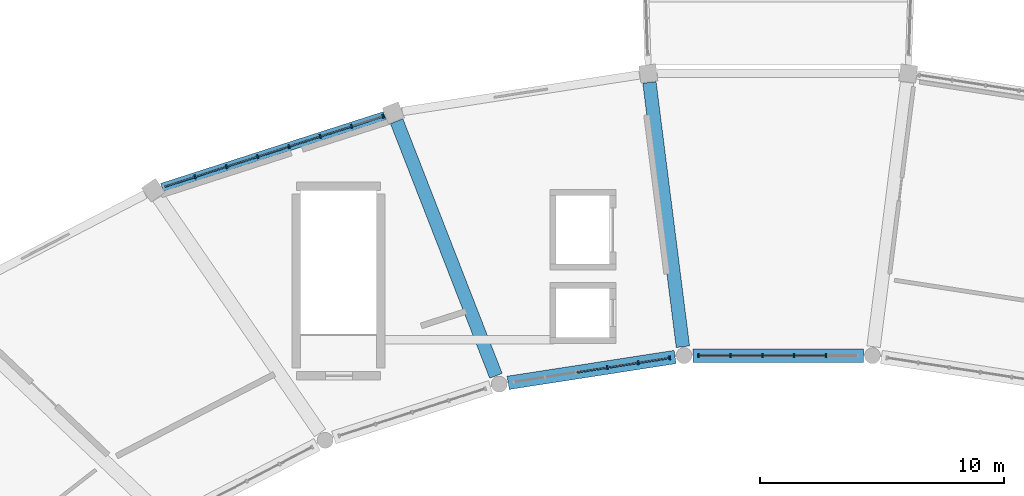
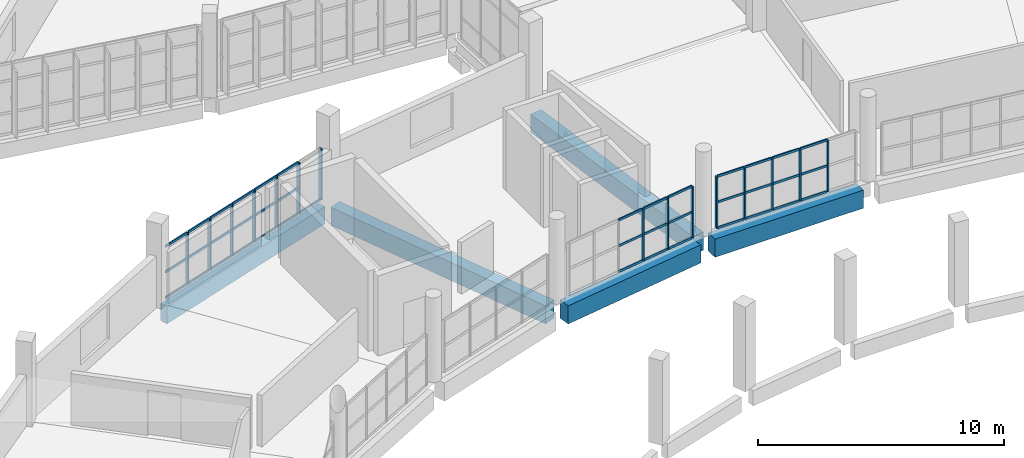
# One storey, part 29 of 142: 55 members, 5 beams, 3 elements without a shape of their own.
"""IFC4 building model written with IfcOpenShell, lengths in metres."""

from ifc_helpers import new_model, si_unit, direction, frame, origin, origin_2d, place, context, subcontext, project, spatial, rectangle, extrude, material, layer, layer_set, material_profile, profile_set, type_object, element, aggregate, save


model = new_model("IFC4")

# Units and contexts
model_context = context("Model", 3, precision=1e-05, world=origin(), true_north=direction((0.0, 1.0)))
body_context = subcontext(model_context, "Body", "Model", "MODEL_VIEW")
ifc_project = project(units=[si_unit("LENGTHUNIT", "METRE"), si_unit("AREAUNIT", "SQUARE_METRE"), si_unit("VOLUMEUNIT", "CUBIC_METRE"), si_unit("PLANEANGLEUNIT", "RADIAN"), si_unit("MASSUNIT", "GRAM", prefix="KILO")], contexts=[model_context])

# Site, building, storey
site_placement = place(None, origin())
site = spatial("IfcSite", under=ifc_project, at=site_placement, CompositionType="ELEMENT")
building_placement = place(site_placement, origin())
building = spatial("IfcBuilding", under=site, at=building_placement, Name="Corvandel Quay Wholesale Market", CompositionType="ELEMENT")
storey_placement = place(building_placement, frame((0.0, 0.0, 10.800048828125)))
storey = spatial("IfcBuildingStorey", under=building, at=storey_placement, Name="L02", CompositionType="ELEMENT", Elevation=10.800048828125)

# Curtain wall, members
ifc_material_1 = material(Name="Bronze anodised aluminium and low-E insulated glazing", Category="aluminium")
ifc_layer_1 = layer(ifc_material_1, 0.162109375)
ifc_layer_set_1 = layer_set([ifc_layer_1], Name="Bronze anodised aluminium and low-E insulated glazing")
curtain_wall_type_1 = type_object("IfcCurtainWallType", Name="Stick Curtain Wall System CW01 H3090", PredefinedType="NOTDEFINED", material=ifc_layer_set_1)
curtain_wall_1_placement = place(storey_placement, origin())
curtain_wall_1 = element("IfcCurtainWall", 1, at=curtain_wall_1_placement, inside=storey, type_object=curtain_wall_type_1, Name="Curtain Wall CW-0023", PredefinedType="NOTDEFINED")
ifc_material_2 = material(Name="Anodised aluminium 6063-T6", Category="aluminium")
ifc_material_profile_1 = material_profile(ifc_material_2, rectangle(XDim=0.06494140625, YDim=0.14990234375, at=origin_2d()), Name="ALU-MUL-65x150")
ifc_profile_set_1 = profile_set([ifc_material_profile_1], Name="Anodised aluminium 6063-T6")
member_type_1 = type_object("IfcMemberType", Name="Curtain Wall Mullion ML02 65x150", PredefinedType="MULLION", material=ifc_profile_set_1)
member_1_placement = place(storey_placement, frame((115.95361328125, 72.449951171875, 0.0), z_axis=(0.0, 0.0, 1.0), x_axis=(1.0, 0.0, 0.0)))
member_1 = element("IfcMember", 2, at=member_1_placement, type_object=member_type_1, Name="Mullion CW-0023-M01", PredefinedType="MULLION", context=body_context, shape_type="SweptSolid", body=[
    extrude(rectangle(XDim=0.06494140625, YDim=0.14990234375, at=origin_2d()), origin(), (0.0, 0.0, 1.0), 2.550048828125),
])
member_2_placement = place(storey_placement, frame((114.651123046875, 72.449951171875, 0.0), z_axis=(0.0, 0.0, 1.0), x_axis=(1.0, 0.0, 0.0)))
member_2 = element("IfcMember", 3, at=member_2_placement, type_object=member_type_1, Name="Mullion CW-0023-M02", PredefinedType="MULLION", context=body_context, shape_type="SweptSolid", body=[
    extrude(rectangle(XDim=0.06494140625, YDim=0.14990234375, at=origin_2d()), origin(), (0.0, 0.0, 1.0), 2.550048828125),
])
member_3_placement = place(storey_placement, frame((113.348876953125, 72.449951171875, 0.0), z_axis=(0.0, 0.0, 1.0), x_axis=(1.0, 0.0, 0.0)))
member_3 = element("IfcMember", 4, at=member_3_placement, type_object=member_type_1, Name="Mullion CW-0023-M03", PredefinedType="MULLION", context=body_context, shape_type="SweptSolid", body=[
    extrude(rectangle(XDim=0.06494140625, YDim=0.14990234375, at=origin_2d()), origin(), (0.0, 0.0, 1.0), 2.550048828125),
])
member_4_placement = place(storey_placement, frame((112.04638671875, 72.449951171875, 0.0), z_axis=(0.0, 0.0, 1.0), x_axis=(1.0, 0.0, 0.0)))
member_4 = element("IfcMember", 5, at=member_4_placement, type_object=member_type_1, Name="Mullion CW-0023-M04", PredefinedType="MULLION", context=body_context, shape_type="SweptSolid", body=[
    extrude(rectangle(XDim=0.06494140625, YDim=0.14990234375, at=origin_2d()), origin(), (0.0, 0.0, 1.0), 2.550048828125),
])
member_5_placement = place(storey_placement, frame((110.743896484375, 72.449951171875, 0.0), z_axis=(0.0, 0.0, 1.0), x_axis=(1.0, 0.0, 0.0)))
member_5 = element("IfcMember", 6, at=member_5_placement, type_object=member_type_1, Name="Mullion CW-0023-M05", PredefinedType="MULLION", context=body_context, shape_type="SweptSolid", body=[
    extrude(rectangle(XDim=0.06494140625, YDim=0.14990234375, at=origin_2d()), origin(), (0.0, 0.0, 1.0), 2.550048828125),
])

ifc_layer_2 = layer(ifc_material_1, 0.174072265625)
ifc_layer_set_2 = layer_set([ifc_layer_2], Name="Bronze anodised aluminium and low-E insulated glazing")
curtain_wall_type_2 = type_object("IfcCurtainWallType", Name="Stick Curtain Wall System CW02 H3180", PredefinedType="NOTDEFINED", material=ifc_layer_set_2)
curtain_wall_2_placement = place(storey_placement, origin())
curtain_wall_2 = element("IfcCurtainWall", 7, at=curtain_wall_2_placement, inside=storey, type_object=curtain_wall_type_2, Name="Curtain Wall CW-0026", PredefinedType="NOTDEFINED")
member_6_placement = place(storey_placement, frame((109.551025390625, 72.3583984375, 0.0), z_axis=(0.0, 0.0, 1.0), x_axis=(0.98825506746, 0.152813355565, 0.0)))
member_6 = element("IfcMember", 8, at=member_6_placement, type_object=member_type_1, Name="Mullion CW-0026-M00", PredefinedType="MULLION", context=body_context, shape_type="SweptSolid", body=[
    extrude(rectangle(XDim=0.06494140625, YDim=0.14990234375, at=origin_2d()), origin(), (0.0, 0.0, 1.0), 2.550048828125),
])
member_7_placement = place(storey_placement, frame((108.275390625, 72.160888671875, 0.0), z_axis=(0.0, 0.0, 1.0), x_axis=(0.98825506746, 0.152813355565, 0.0)))
member_7 = element("IfcMember", 9, at=member_7_placement, type_object=member_type_1, Name="Mullion CW-0026-M01", PredefinedType="MULLION", context=body_context, shape_type="SweptSolid", body=[
    extrude(rectangle(XDim=0.06494140625, YDim=0.14990234375, at=origin_2d()), origin(), (0.0, 0.0, 1.0), 2.550048828125),
])
member_8_placement = place(storey_placement, frame((106.999755859375, 71.963623046875, 0.0), z_axis=(0.0, 0.0, 1.0), x_axis=(0.98825506746, 0.152813355565, 0.0)))
member_8 = element("IfcMember", 10, at=member_8_placement, type_object=member_type_1, Name="Mullion CW-0026-M02", PredefinedType="MULLION", context=body_context, shape_type="SweptSolid", body=[
    extrude(rectangle(XDim=0.06494140625, YDim=0.14990234375, at=origin_2d()), origin(), (0.0, 0.0, 1.0), 2.550048828125),
])

ifc_layer_3 = layer(ifc_material_1, 0.18603515625)
ifc_layer_set_3 = layer_set([ifc_layer_3], Name="Bronze anodised aluminium and low-E insulated glazing")
curtain_wall_type_3 = type_object("IfcCurtainWallType", Name="Stick Curtain Wall System CW18 H4620", PredefinedType="NOTDEFINED", material=ifc_layer_set_3)
curtain_wall_3_placement = place(storey_placement, origin())
curtain_wall_3 = element("IfcCurtainWall", 11, at=curtain_wall_3_placement, inside=storey, type_object=curtain_wall_type_3, Name="Curtain Wall CW-0027", PredefinedType="NOTDEFINED")
member_9_placement = place(storey_placement, frame((97.82080078125, 82.248046875, 0.0), z_axis=(0.0, 0.0, 1.0), x_axis=(0.951808747363, 0.306692204733, 0.0)))
member_9 = element("IfcMember", 12, at=member_9_placement, type_object=member_type_1, Name="Mullion CW-0027-M00", PredefinedType="MULLION", context=body_context, shape_type="SweptSolid", body=[
    extrude(rectangle(XDim=0.06494140625, YDim=0.14990234375, at=origin_2d()), origin(), (0.0, 0.0, 1.0), 2.550048828125),
])
member_10_placement = place(storey_placement, frame((96.5390625, 81.835205078125, 0.0), z_axis=(0.0, 0.0, 1.0), x_axis=(0.951808747363, 0.306692204733, 0.0)))
member_10 = element("IfcMember", 13, at=member_10_placement, type_object=member_type_1, Name="Mullion CW-0027-M01", PredefinedType="MULLION", context=body_context, shape_type="SweptSolid", body=[
    extrude(rectangle(XDim=0.06494140625, YDim=0.14990234375, at=origin_2d()), origin(), (0.0, 0.0, 1.0), 2.550048828125),
])
member_11_placement = place(storey_placement, frame((95.25732421875, 81.42236328125, 0.0), z_axis=(0.0, 0.0, 1.0), x_axis=(0.951808747363, 0.306692204733, 0.0)))
member_11 = element("IfcMember", 14, at=member_11_placement, type_object=member_type_1, Name="Mullion CW-0027-M02", PredefinedType="MULLION", context=body_context, shape_type="SweptSolid", body=[
    extrude(rectangle(XDim=0.06494140625, YDim=0.14990234375, at=origin_2d()), origin(), (0.0, 0.0, 1.0), 2.550048828125),
])
member_12_placement = place(storey_placement, frame((93.975830078125, 81.009521484375, 0.0), z_axis=(0.0, 0.0, 1.0), x_axis=(0.951808747363, 0.306692204733, 0.0)))
member_12 = element("IfcMember", 15, at=member_12_placement, type_object=member_type_1, Name="Mullion CW-0027-M03", PredefinedType="MULLION", context=body_context, shape_type="SweptSolid", body=[
    extrude(rectangle(XDim=0.06494140625, YDim=0.14990234375, at=origin_2d()), origin(), (0.0, 0.0, 1.0), 2.550048828125),
])
member_13_placement = place(storey_placement, frame((92.694091796875, 80.5966796875, 0.0), z_axis=(0.0, 0.0, 1.0), x_axis=(0.951808747363, 0.306692204733, 0.0)))
member_13 = element("IfcMember", 16, at=member_13_placement, type_object=member_type_1, Name="Mullion CW-0027-M04", PredefinedType="MULLION", context=body_context, shape_type="SweptSolid", body=[
    extrude(rectangle(XDim=0.06494140625, YDim=0.14990234375, at=origin_2d()), origin(), (0.0, 0.0, 1.0), 2.550048828125),
])
member_14_placement = place(storey_placement, frame((91.41259765625, 80.18359375, 0.0), z_axis=(0.0, 0.0, 1.0), x_axis=(0.951808747363, 0.306692204733, 0.0)))
member_14 = element("IfcMember", 17, at=member_14_placement, type_object=member_type_1, Name="Mullion CW-0027-M05", PredefinedType="MULLION", context=body_context, shape_type="SweptSolid", body=[
    extrude(rectangle(XDim=0.06494140625, YDim=0.14990234375, at=origin_2d()), origin(), (0.0, 0.0, 1.0), 2.550048828125),
])
member_15_placement = place(storey_placement, frame((90.130859375, 79.77099609375, 0.0), z_axis=(0.0, 0.0, 1.0), x_axis=(0.951808747363, 0.306692204733, 0.0)))
member_15 = element("IfcMember", 18, at=member_15_placement, type_object=member_type_1, Name="Mullion CW-0027-M06", PredefinedType="MULLION", context=body_context, shape_type="SweptSolid", body=[
    extrude(rectangle(XDim=0.06494140625, YDim=0.14990234375, at=origin_2d()), origin(), (0.0, 0.0, 1.0), 2.550048828125),
])

# Member
ifc_material_profile_2 = material_profile(ifc_material_2, rectangle(XDim=0.06005859375, YDim=0.110107421875, at=origin_2d()), Name="ALU-TRN-60x110")
ifc_profile_set_2 = profile_set([ifc_material_profile_2], Name="Anodised aluminium 6063-T6")
member_type_2 = type_object("IfcMemberType", Name="Curtain Wall Transom TR02 60x110", PredefinedType="USERDEFINED", material=ifc_profile_set_2)
member_16_placement = place(storey_placement, frame((115.921142578125, 72.449951171875, 0.0), z_axis=(-1.0, 0.0, 0.0), x_axis=(0.0, -1.0, 0.0)))
member_16 = element("IfcMember", 19, at=member_16_placement, type_object=member_type_2, Name="Transom CW-0023-T01-0", ObjectType="TRANSOM", PredefinedType="USERDEFINED", context=body_context, shape_type="SweptSolid", body=[
    extrude(rectangle(XDim=0.06005859375, YDim=0.110107421875, at=origin_2d()), origin(), (0.0, 0.0, 1.0), 1.237548828125),
])

member_17_placement = place(storey_placement, frame((115.921142578125, 72.449951171875, 1.27490234375), z_axis=(-1.0, 0.0, 0.0), x_axis=(0.0, -1.0, 0.0)))
member_17 = element("IfcMember", 20, at=member_17_placement, type_object=member_type_2, Name="Transom CW-0023-T01-1", ObjectType="TRANSOM", PredefinedType="USERDEFINED", context=body_context, shape_type="SweptSolid", body=[
    extrude(rectangle(XDim=0.06005859375, YDim=0.110107421875, at=origin_2d()), origin(), (0.0, 0.0, 1.0), 1.237548828125),
])

member_18_placement = place(storey_placement, frame((115.921142578125, 72.449951171875, 2.550048828125), z_axis=(-1.0, 0.0, 0.0), x_axis=(0.0, -1.0, 0.0)))
member_18 = element("IfcMember", 21, at=member_18_placement, type_object=member_type_2, Name="Transom CW-0023-T01-2", ObjectType="TRANSOM", PredefinedType="USERDEFINED", context=body_context, shape_type="SweptSolid", body=[
    extrude(rectangle(XDim=0.06005859375, YDim=0.110107421875, at=origin_2d()), origin(), (0.0, 0.0, 1.0), 1.237548828125),
])

member_19_placement = place(storey_placement, frame((114.61865234375, 72.449951171875, 0.0), z_axis=(-1.0, 0.0, 0.0), x_axis=(0.0, -1.0, 0.0)))
member_19 = element("IfcMember", 22, at=member_19_placement, type_object=member_type_2, Name="Transom CW-0023-T02-0", ObjectType="TRANSOM", PredefinedType="USERDEFINED", context=body_context, shape_type="SweptSolid", body=[
    extrude(rectangle(XDim=0.06005859375, YDim=0.110107421875, at=origin_2d()), origin(), (0.0, 0.0, 1.0), 1.2373046875),
])

member_20_placement = place(storey_placement, frame((114.61865234375, 72.449951171875, 1.27490234375), z_axis=(-1.0, 0.0, 0.0), x_axis=(0.0, -1.0, 0.0)))
member_20 = element("IfcMember", 23, at=member_20_placement, type_object=member_type_2, Name="Transom CW-0023-T02-1", ObjectType="TRANSOM", PredefinedType="USERDEFINED", context=body_context, shape_type="SweptSolid", body=[
    extrude(rectangle(XDim=0.06005859375, YDim=0.110107421875, at=origin_2d()), origin(), (0.0, 0.0, 1.0), 1.2373046875),
])

member_21_placement = place(storey_placement, frame((114.61865234375, 72.449951171875, 2.550048828125), z_axis=(-1.0, 0.0, 0.0), x_axis=(0.0, -1.0, 0.0)))
member_21 = element("IfcMember", 24, at=member_21_placement, type_object=member_type_2, Name="Transom CW-0023-T02-2", ObjectType="TRANSOM", PredefinedType="USERDEFINED", context=body_context, shape_type="SweptSolid", body=[
    extrude(rectangle(XDim=0.06005859375, YDim=0.110107421875, at=origin_2d()), origin(), (0.0, 0.0, 1.0), 1.2373046875),
])

member_22_placement = place(storey_placement, frame((113.31640625, 72.449951171875, 0.0), z_axis=(-1.0, 0.0, 0.0), x_axis=(0.0, -1.0, 0.0)))
member_22 = element("IfcMember", 25, at=member_22_placement, type_object=member_type_2, Name="Transom CW-0023-T03-0", ObjectType="TRANSOM", PredefinedType="USERDEFINED", context=body_context, shape_type="SweptSolid", body=[
    extrude(rectangle(XDim=0.06005859375, YDim=0.110107421875, at=origin_2d()), origin(), (0.0, 0.0, 1.0), 1.237548828125),
])

member_23_placement = place(storey_placement, frame((113.31640625, 72.449951171875, 1.27490234375), z_axis=(-1.0, 0.0, 0.0), x_axis=(0.0, -1.0, 0.0)))
member_23 = element("IfcMember", 26, at=member_23_placement, type_object=member_type_2, Name="Transom CW-0023-T03-1", ObjectType="TRANSOM", PredefinedType="USERDEFINED", context=body_context, shape_type="SweptSolid", body=[
    extrude(rectangle(XDim=0.06005859375, YDim=0.110107421875, at=origin_2d()), origin(), (0.0, 0.0, 1.0), 1.237548828125),
])

member_24_placement = place(storey_placement, frame((113.31640625, 72.449951171875, 2.550048828125), z_axis=(-1.0, 0.0, 0.0), x_axis=(0.0, -1.0, 0.0)))
member_24 = element("IfcMember", 27, at=member_24_placement, type_object=member_type_2, Name="Transom CW-0023-T03-2", ObjectType="TRANSOM", PredefinedType="USERDEFINED", context=body_context, shape_type="SweptSolid", body=[
    extrude(rectangle(XDim=0.06005859375, YDim=0.110107421875, at=origin_2d()), origin(), (0.0, 0.0, 1.0), 1.237548828125),
])

member_25_placement = place(storey_placement, frame((112.013916015625, 72.449951171875, 0.0), z_axis=(-1.0, 0.0, 0.0), x_axis=(0.0, -1.0, 0.0)))
member_25 = element("IfcMember", 28, at=member_25_placement, type_object=member_type_2, Name="Transom CW-0023-T04-0", ObjectType="TRANSOM", PredefinedType="USERDEFINED", context=body_context, shape_type="SweptSolid", body=[
    extrude(rectangle(XDim=0.06005859375, YDim=0.110107421875, at=origin_2d()), origin(), (0.0, 0.0, 1.0), 1.2373046875),
])

member_26_placement = place(storey_placement, frame((112.013916015625, 72.449951171875, 1.27490234375), z_axis=(-1.0, 0.0, 0.0), x_axis=(0.0, -1.0, 0.0)))
member_26 = element("IfcMember", 29, at=member_26_placement, type_object=member_type_2, Name="Transom CW-0023-T04-1", ObjectType="TRANSOM", PredefinedType="USERDEFINED", context=body_context, shape_type="SweptSolid", body=[
    extrude(rectangle(XDim=0.06005859375, YDim=0.110107421875, at=origin_2d()), origin(), (0.0, 0.0, 1.0), 1.2373046875),
])

member_27_placement = place(storey_placement, frame((112.013916015625, 72.449951171875, 2.550048828125), z_axis=(-1.0, 0.0, 0.0), x_axis=(0.0, -1.0, 0.0)))
member_27 = element("IfcMember", 30, at=member_27_placement, type_object=member_type_2, Name="Transom CW-0023-T04-2", ObjectType="TRANSOM", PredefinedType="USERDEFINED", context=body_context, shape_type="SweptSolid", body=[
    extrude(rectangle(XDim=0.06005859375, YDim=0.110107421875, at=origin_2d()), origin(), (0.0, 0.0, 1.0), 1.2373046875),
])

aggregate(curtain_wall_1, [member_1, member_2, member_3, member_4, member_5, member_16, member_17, member_18, member_19, member_20, member_21, member_22, member_23, member_24, member_25, member_26, member_27])

member_28_placement = place(storey_placement, frame((109.518798828125, 72.353271484375, 0.0), z_axis=(-0.988258580736, -0.152790633224, 0.0), x_axis=(0.152790633224, -0.988258580736, 0.0)))
member_28 = element("IfcMember", 31, at=member_28_placement, type_object=member_type_2, Name="Transom CW-0026-T00-0", ObjectType="TRANSOM", PredefinedType="USERDEFINED", context=body_context, shape_type="SweptSolid", body=[
    extrude(rectangle(XDim=0.06005859375, YDim=0.110107421875, at=origin_2d()), origin(), (0.0, 0.0, 1.0), 1.2255859375),
])

member_29_placement = place(storey_placement, frame((109.518798828125, 72.353271484375, 1.27490234375), z_axis=(-0.988258580736, -0.152790633224, 0.0), x_axis=(0.152790633224, -0.988258580736, 0.0)))
member_29 = element("IfcMember", 32, at=member_29_placement, type_object=member_type_2, Name="Transom CW-0026-T00-1", ObjectType="TRANSOM", PredefinedType="USERDEFINED", context=body_context, shape_type="SweptSolid", body=[
    extrude(rectangle(XDim=0.06005859375, YDim=0.110107421875, at=origin_2d()), origin(), (0.0, 0.0, 1.0), 1.2255859375),
])

member_30_placement = place(storey_placement, frame((109.518798828125, 72.353271484375, 2.550048828125), z_axis=(-0.988258580736, -0.152790633224, 0.0), x_axis=(0.152790633224, -0.988258580736, 0.0)))
member_30 = element("IfcMember", 33, at=member_30_placement, type_object=member_type_2, Name="Transom CW-0026-T00-2", ObjectType="TRANSOM", PredefinedType="USERDEFINED", context=body_context, shape_type="SweptSolid", body=[
    extrude(rectangle(XDim=0.06005859375, YDim=0.110107421875, at=origin_2d()), origin(), (0.0, 0.0, 1.0), 1.2255859375),
])

member_31_placement = place(storey_placement, frame((108.243408203125, 72.156005859375, 0.0), z_axis=(-0.988233143916, -0.152955069433, 0.0), x_axis=(0.152955069433, -0.988233143916, 0.0)))
member_31 = element("IfcMember", 34, at=member_31_placement, type_object=member_type_2, Name="Transom CW-0026-T01-0", ObjectType="TRANSOM", PredefinedType="USERDEFINED", context=body_context, shape_type="SweptSolid", body=[
    extrude(rectangle(XDim=0.06005859375, YDim=0.110107421875, at=origin_2d()), origin(), (0.0, 0.0, 1.0), 1.225830078125),
])

member_32_placement = place(storey_placement, frame((108.243408203125, 72.156005859375, 1.27490234375), z_axis=(-0.988233143916, -0.152955069433, 0.0), x_axis=(0.152955069433, -0.988233143916, 0.0)))
member_32 = element("IfcMember", 35, at=member_32_placement, type_object=member_type_2, Name="Transom CW-0026-T01-1", ObjectType="TRANSOM", PredefinedType="USERDEFINED", context=body_context, shape_type="SweptSolid", body=[
    extrude(rectangle(XDim=0.06005859375, YDim=0.110107421875, at=origin_2d()), origin(), (0.0, 0.0, 1.0), 1.225830078125),
])

member_33_placement = place(storey_placement, frame((108.243408203125, 72.156005859375, 2.550048828125), z_axis=(-0.988233143916, -0.152955069433, 0.0), x_axis=(0.152955069433, -0.988233143916, 0.0)))
member_33 = element("IfcMember", 36, at=member_33_placement, type_object=member_type_2, Name="Transom CW-0026-T01-2", ObjectType="TRANSOM", PredefinedType="USERDEFINED", context=body_context, shape_type="SweptSolid", body=[
    extrude(rectangle(XDim=0.06005859375, YDim=0.110107421875, at=origin_2d()), origin(), (0.0, 0.0, 1.0), 1.225830078125),
])

member_34_placement = place(storey_placement, frame((106.9677734375, 71.958740234375, 0.0), z_axis=(-0.988233143916, -0.152955069433, 0.0), x_axis=(0.152955069433, -0.988233143916, 0.0)))
member_34 = element("IfcMember", 37, at=member_34_placement, type_object=member_type_2, Name="Transom CW-0026-T02-0", ObjectType="TRANSOM", PredefinedType="USERDEFINED", context=body_context, shape_type="SweptSolid", body=[
    extrude(rectangle(XDim=0.06005859375, YDim=0.110107421875, at=origin_2d()), origin(), (0.0, 0.0, 1.0), 1.225830078125),
])

member_35_placement = place(storey_placement, frame((106.9677734375, 71.958740234375, 1.27490234375), z_axis=(-0.988233143916, -0.152955069433, 0.0), x_axis=(0.152955069433, -0.988233143916, 0.0)))
member_35 = element("IfcMember", 38, at=member_35_placement, type_object=member_type_2, Name="Transom CW-0026-T02-1", ObjectType="TRANSOM", PredefinedType="USERDEFINED", context=body_context, shape_type="SweptSolid", body=[
    extrude(rectangle(XDim=0.06005859375, YDim=0.110107421875, at=origin_2d()), origin(), (0.0, 0.0, 1.0), 1.225830078125),
])

member_36_placement = place(storey_placement, frame((106.9677734375, 71.958740234375, 2.550048828125), z_axis=(-0.988233143916, -0.152955069433, 0.0), x_axis=(0.152955069433, -0.988233143916, 0.0)))
member_36 = element("IfcMember", 39, at=member_36_placement, type_object=member_type_2, Name="Transom CW-0026-T02-2", ObjectType="TRANSOM", PredefinedType="USERDEFINED", context=body_context, shape_type="SweptSolid", body=[
    extrude(rectangle(XDim=0.06005859375, YDim=0.110107421875, at=origin_2d()), origin(), (0.0, 0.0, 1.0), 1.225830078125),
])

aggregate(curtain_wall_2, [member_6, member_7, member_8, member_28, member_29, member_30, member_31, member_32, member_33, member_34, member_35, member_36])

member_37_placement = place(storey_placement, frame((97.789794921875, 82.238037109375, 0.0), z_axis=(-0.951853962221, -0.30655184652, 0.0), x_axis=(0.30655184652, -0.951853962221, 0.0)))
member_37 = element("IfcMember", 40, at=member_37_placement, type_object=member_type_2, Name="Transom CW-0027-T00-0", ObjectType="TRANSOM", PredefinedType="USERDEFINED", context=body_context, shape_type="SweptSolid", body=[
    extrude(rectangle(XDim=0.06005859375, YDim=0.110107421875, at=origin_2d()), origin(), (0.0, 0.0, 1.0), 1.281494140625),
])

member_38_placement = place(storey_placement, frame((96.508056640625, 81.8251953125, 0.0), z_axis=(-0.951853962221, -0.30655184652, 0.0), x_axis=(0.30655184652, -0.951853962221, 0.0)))
member_38 = element("IfcMember", 41, at=member_38_placement, type_object=member_type_2, Name="Transom CW-0027-T01-0", ObjectType="TRANSOM", PredefinedType="USERDEFINED", context=body_context, shape_type="SweptSolid", body=[
    extrude(rectangle(XDim=0.06005859375, YDim=0.110107421875, at=origin_2d()), origin(), (0.0, 0.0, 1.0), 1.281494140625),
])

member_39_placement = place(storey_placement, frame((96.508056640625, 81.8251953125, 1.27490234375), z_axis=(-0.951853962221, -0.30655184652, 0.0), x_axis=(0.30655184652, -0.951853962221, 0.0)))
member_39 = element("IfcMember", 42, at=member_39_placement, type_object=member_type_2, Name="Transom CW-0027-T01-1", ObjectType="TRANSOM", PredefinedType="USERDEFINED", context=body_context, shape_type="SweptSolid", body=[
    extrude(rectangle(XDim=0.06005859375, YDim=0.110107421875, at=origin_2d()), origin(), (0.0, 0.0, 1.0), 1.281494140625),
])

member_40_placement = place(storey_placement, frame((96.508056640625, 81.8251953125, 2.550048828125), z_axis=(-0.951853962221, -0.30655184652, 0.0), x_axis=(0.30655184652, -0.951853962221, 0.0)))
member_40 = element("IfcMember", 43, at=member_40_placement, type_object=member_type_2, Name="Transom CW-0027-T01-2", ObjectType="TRANSOM", PredefinedType="USERDEFINED", context=body_context, shape_type="SweptSolid", body=[
    extrude(rectangle(XDim=0.06005859375, YDim=0.110107421875, at=origin_2d()), origin(), (0.0, 0.0, 1.0), 1.281494140625),
])

member_41_placement = place(storey_placement, frame((95.2265625, 81.412353515625, 0.0), z_axis=(-0.951816275038, -0.306668841867, 0.0), x_axis=(0.306668841867, -0.951816275038, 0.0)))
member_41 = element("IfcMember", 44, at=member_41_placement, type_object=member_type_2, Name="Transom CW-0027-T02-0", ObjectType="TRANSOM", PredefinedType="USERDEFINED", context=body_context, shape_type="SweptSolid", body=[
    extrude(rectangle(XDim=0.06005859375, YDim=0.110107421875, at=origin_2d()), origin(), (0.0, 0.0, 1.0), 1.28173828125),
])

member_42_placement = place(storey_placement, frame((95.2265625, 81.412353515625, 1.27490234375), z_axis=(-0.951816275038, -0.306668841867, 0.0), x_axis=(0.306668841867, -0.951816275038, 0.0)))
member_42 = element("IfcMember", 45, at=member_42_placement, type_object=member_type_2, Name="Transom CW-0027-T02-1", ObjectType="TRANSOM", PredefinedType="USERDEFINED", context=body_context, shape_type="SweptSolid", body=[
    extrude(rectangle(XDim=0.06005859375, YDim=0.110107421875, at=origin_2d()), origin(), (0.0, 0.0, 1.0), 1.28173828125),
])

member_43_placement = place(storey_placement, frame((95.2265625, 81.412353515625, 2.550048828125), z_axis=(-0.951816275038, -0.306668841867, 0.0), x_axis=(0.306668841867, -0.951816275038, 0.0)))
member_43 = element("IfcMember", 46, at=member_43_placement, type_object=member_type_2, Name="Transom CW-0027-T02-2", ObjectType="TRANSOM", PredefinedType="USERDEFINED", context=body_context, shape_type="SweptSolid", body=[
    extrude(rectangle(XDim=0.06005859375, YDim=0.110107421875, at=origin_2d()), origin(), (0.0, 0.0, 1.0), 1.28173828125),
])

member_44_placement = place(storey_placement, frame((93.94482421875, 80.99951171875, 0.0), z_axis=(-0.951798356557, -0.306724450372, 0.0), x_axis=(0.306724450372, -0.951798356557, 0.0)))
member_44 = element("IfcMember", 47, at=member_44_placement, type_object=member_type_2, Name="Transom CW-0027-T03-0", ObjectType="TRANSOM", PredefinedType="USERDEFINED", context=body_context, shape_type="SweptSolid", body=[
    extrude(rectangle(XDim=0.06005859375, YDim=0.110107421875, at=origin_2d()), origin(), (0.0, 0.0, 1.0), 1.281494140625),
])

member_45_placement = place(storey_placement, frame((93.94482421875, 80.99951171875, 1.27490234375), z_axis=(-0.951798356557, -0.306724450372, 0.0), x_axis=(0.306724450372, -0.951798356557, 0.0)))
member_45 = element("IfcMember", 48, at=member_45_placement, type_object=member_type_2, Name="Transom CW-0027-T03-1", ObjectType="TRANSOM", PredefinedType="USERDEFINED", context=body_context, shape_type="SweptSolid", body=[
    extrude(rectangle(XDim=0.06005859375, YDim=0.110107421875, at=origin_2d()), origin(), (0.0, 0.0, 1.0), 1.281494140625),
])

member_46_placement = place(storey_placement, frame((93.94482421875, 80.99951171875, 2.550048828125), z_axis=(-0.951798356557, -0.306724450372, 0.0), x_axis=(0.306724450372, -0.951798356557, 0.0)))
member_46 = element("IfcMember", 49, at=member_46_placement, type_object=member_type_2, Name="Transom CW-0027-T03-2", ObjectType="TRANSOM", PredefinedType="USERDEFINED", context=body_context, shape_type="SweptSolid", body=[
    extrude(rectangle(XDim=0.06005859375, YDim=0.110107421875, at=origin_2d()), origin(), (0.0, 0.0, 1.0), 1.281494140625),
])

member_47_placement = place(storey_placement, frame((92.663330078125, 80.586669921875, 0.0), z_axis=(-0.951798356557, -0.306724450372, 0.0), x_axis=(0.306724450372, -0.951798356557, 0.0)))
member_47 = element("IfcMember", 50, at=member_47_placement, type_object=member_type_2, Name="Transom CW-0027-T04-0", ObjectType="TRANSOM", PredefinedType="USERDEFINED", context=body_context, shape_type="SweptSolid", body=[
    extrude(rectangle(XDim=0.06005859375, YDim=0.110107421875, at=origin_2d()), origin(), (0.0, 0.0, 1.0), 1.281494140625),
])

member_48_placement = place(storey_placement, frame((92.663330078125, 80.586669921875, 1.27490234375), z_axis=(-0.951798356557, -0.306724450372, 0.0), x_axis=(0.306724450372, -0.951798356557, 0.0)))
member_48 = element("IfcMember", 51, at=member_48_placement, type_object=member_type_2, Name="Transom CW-0027-T04-1", ObjectType="TRANSOM", PredefinedType="USERDEFINED", context=body_context, shape_type="SweptSolid", body=[
    extrude(rectangle(XDim=0.06005859375, YDim=0.110107421875, at=origin_2d()), origin(), (0.0, 0.0, 1.0), 1.281494140625),
])

member_49_placement = place(storey_placement, frame((92.663330078125, 80.586669921875, 2.550048828125), z_axis=(-0.951798356557, -0.306724450372, 0.0), x_axis=(0.306724450372, -0.951798356557, 0.0)))
member_49 = element("IfcMember", 52, at=member_49_placement, type_object=member_type_2, Name="Transom CW-0027-T04-2", ObjectType="TRANSOM", PredefinedType="USERDEFINED", context=body_context, shape_type="SweptSolid", body=[
    extrude(rectangle(XDim=0.06005859375, YDim=0.110107421875, at=origin_2d()), origin(), (0.0, 0.0, 1.0), 1.281494140625),
])

member_50_placement = place(storey_placement, frame((91.381591796875, 80.173583984375, 0.0), z_axis=(-0.951853962221, -0.30655184652, 0.0), x_axis=(0.30655184652, -0.951853962221, 0.0)))
member_50 = element("IfcMember", 53, at=member_50_placement, type_object=member_type_2, Name="Transom CW-0027-T05-0", ObjectType="TRANSOM", PredefinedType="USERDEFINED", context=body_context, shape_type="SweptSolid", body=[
    extrude(rectangle(XDim=0.06005859375, YDim=0.110107421875, at=origin_2d()), origin(), (0.0, 0.0, 1.0), 1.281494140625),
])

member_51_placement = place(storey_placement, frame((91.381591796875, 80.173583984375, 1.27490234375), z_axis=(-0.951853962221, -0.30655184652, 0.0), x_axis=(0.30655184652, -0.951853962221, 0.0)))
member_51 = element("IfcMember", 54, at=member_51_placement, type_object=member_type_2, Name="Transom CW-0027-T05-1", ObjectType="TRANSOM", PredefinedType="USERDEFINED", context=body_context, shape_type="SweptSolid", body=[
    extrude(rectangle(XDim=0.06005859375, YDim=0.110107421875, at=origin_2d()), origin(), (0.0, 0.0, 1.0), 1.281494140625),
])

member_52_placement = place(storey_placement, frame((91.381591796875, 80.173583984375, 2.550048828125), z_axis=(-0.951853962221, -0.30655184652, 0.0), x_axis=(0.30655184652, -0.951853962221, 0.0)))
member_52 = element("IfcMember", 55, at=member_52_placement, type_object=member_type_2, Name="Transom CW-0027-T05-2", ObjectType="TRANSOM", PredefinedType="USERDEFINED", context=body_context, shape_type="SweptSolid", body=[
    extrude(rectangle(XDim=0.06005859375, YDim=0.110107421875, at=origin_2d()), origin(), (0.0, 0.0, 1.0), 1.281494140625),
])

member_53_placement = place(storey_placement, frame((90.10009765625, 79.760986328125, 0.0), z_axis=(-0.951816275038, -0.306668841867, 0.0), x_axis=(0.306668841867, -0.951816275038, 0.0)))
member_53 = element("IfcMember", 56, at=member_53_placement, type_object=member_type_2, Name="Transom CW-0027-T06-0", ObjectType="TRANSOM", PredefinedType="USERDEFINED", context=body_context, shape_type="SweptSolid", body=[
    extrude(rectangle(XDim=0.06005859375, YDim=0.110107421875, at=origin_2d()), origin(), (0.0, 0.0, 1.0), 1.28173828125),
])

member_54_placement = place(storey_placement, frame((90.10009765625, 79.760986328125, 1.27490234375), z_axis=(-0.951816275038, -0.306668841867, 0.0), x_axis=(0.306668841867, -0.951816275038, 0.0)))
member_54 = element("IfcMember", 57, at=member_54_placement, type_object=member_type_2, Name="Transom CW-0027-T06-1", ObjectType="TRANSOM", PredefinedType="USERDEFINED", context=body_context, shape_type="SweptSolid", body=[
    extrude(rectangle(XDim=0.06005859375, YDim=0.110107421875, at=origin_2d()), origin(), (0.0, 0.0, 1.0), 1.28173828125),
])

member_55_placement = place(storey_placement, frame((90.10009765625, 79.760986328125, 2.550048828125), z_axis=(-0.951816275038, -0.306668841867, 0.0), x_axis=(0.306668841867, -0.951816275038, 0.0)))
member_55 = element("IfcMember", 58, at=member_55_placement, type_object=member_type_2, Name="Transom CW-0027-T06-2", ObjectType="TRANSOM", PredefinedType="USERDEFINED", context=body_context, shape_type="SweptSolid", body=[
    extrude(rectangle(XDim=0.06005859375, YDim=0.110107421875, at=origin_2d()), origin(), (0.0, 0.0, 1.0), 1.28173828125),
])

aggregate(curtain_wall_3, [member_9, member_10, member_11, member_12, member_13, member_14, member_15, member_37, member_38, member_39, member_40, member_41, member_42, member_43, member_44, member_45, member_46, member_47, member_48, member_49, member_50, member_51, member_52, member_53, member_54, member_55])

# Beams
ifc_material_3 = material(Name="Precast concrete C45/55", Category="concrete")
ifc_material_profile_3 = material_profile(ifc_material_3, rectangle(XDim=0.35009765625, YDim=0.85009765625, at=origin_2d()), Name="PC-SPN-350x850")
ifc_profile_set_3 = profile_set([ifc_material_profile_3], Name="Precast concrete C45/55")
beam_type_1 = type_object("IfcBeamType", Name="Perimeter Precast Spandrel SP01 350x850", PredefinedType="SPANDREL", material=ifc_profile_set_3)
beam_1_placement = place(storey_placement, frame((97.896728515625, 82.2724609375, -0.7451171875), z_axis=(-0.951833850624, -0.306614286696, 0.0), x_axis=(0.306614286696, -0.951833850624, 0.0)))
element("IfcBeam", 59, at=beam_1_placement, inside=storey, type_object=beam_type_1, Name="Beam BM-0120", PredefinedType="SPANDREL", context=body_context, shape_type="SweptSolid", body=[
    extrude(rectangle(XDim=0.35009765625, YDim=0.85009765625, at=origin_2d()), origin(), (0.0, 0.0, 1.0), 9.585205078125),
])
ifc_material_profile_4 = material_profile(ifc_material_3, rectangle(XDim=0.550048828125, YDim=0.89990234375, at=origin_2d()), Name="PC-GIR-550x900")
ifc_profile_set_4 = profile_set([ifc_material_profile_4], Name="Precast concrete C45/55")
beam_type_2 = type_object("IfcBeamType", Name="Produce Hall Radial Girder G03 550x900", PredefinedType="USERDEFINED", material=ifc_profile_set_4)
beam_2_placement = place(storey_placement, frame((117.486083984375, 72.449951171875, -0.77001953125), z_axis=(-1.0, 0.0, 0.0), x_axis=(0.0, -1.0, 0.0)))
element("IfcBeam", 60, at=beam_2_placement, inside=storey, type_object=beam_type_2, Name="Beam BM-0097", ObjectType="GIRDER", PredefinedType="USERDEFINED", context=body_context, shape_type="SweptSolid", body=[
    extrude(rectangle(XDim=0.550048828125, YDim=0.89990234375, at=origin_2d()), origin(), (0.0, 0.0, 1.0), 6.97216796875),
])
beam_3_placement = place(storey_placement, frame((109.7783203125, 72.393310546875, -0.77001953125), z_axis=(-0.988252189149, -0.15283196865, 0.0), x_axis=(0.15283196865, -0.988252189149, 0.0)))
element("IfcBeam", 61, at=beam_3_placement, inside=storey, type_object=beam_type_2, Name="Beam BM-0109", ObjectType="GIRDER", PredefinedType="USERDEFINED", context=body_context, shape_type="SweptSolid", body=[
    extrude(rectangle(XDim=0.550048828125, YDim=0.89990234375, at=origin_2d()), origin(), (0.0, 0.0, 1.0), 6.913818359375),
])
beam_4_placement = place(storey_placement, frame((108.7275390625, 83.6328125, -0.77001953125), z_axis=(0.125652446387, -0.992074323182, 0.0), x_axis=(0.992074323182, 0.125652446387, 0.0)))
element("IfcBeam", 62, at=beam_4_placement, inside=storey, type_object=beam_type_2, Name="Beam BM-0111", ObjectType="GIRDER", PredefinedType="USERDEFINED", context=body_context, shape_type="SweptSolid", body=[
    extrude(rectangle(XDim=0.550048828125, YDim=0.89990234375, at=origin_2d()), origin(), (0.0, 0.0, 1.0), 10.902099609375),
])
beam_5_placement = place(storey_placement, frame((98.38330078125, 82.041259765625, -0.77001953125), z_axis=(0.363331250992, -0.93166002493, 0.0), x_axis=(0.93166002493, 0.363331250992, 0.0)))
element("IfcBeam", 63, at=beam_5_placement, inside=storey, type_object=beam_type_2, Name="Beam BM-0123", ObjectType="GIRDER", PredefinedType="USERDEFINED", context=body_context, shape_type="SweptSolid", body=[
    extrude(rectangle(XDim=0.550048828125, YDim=0.89990234375, at=origin_2d()), origin(), (0.0, 0.0, 1.0), 11.1806640625),
])

save(model, "model.ifc")
